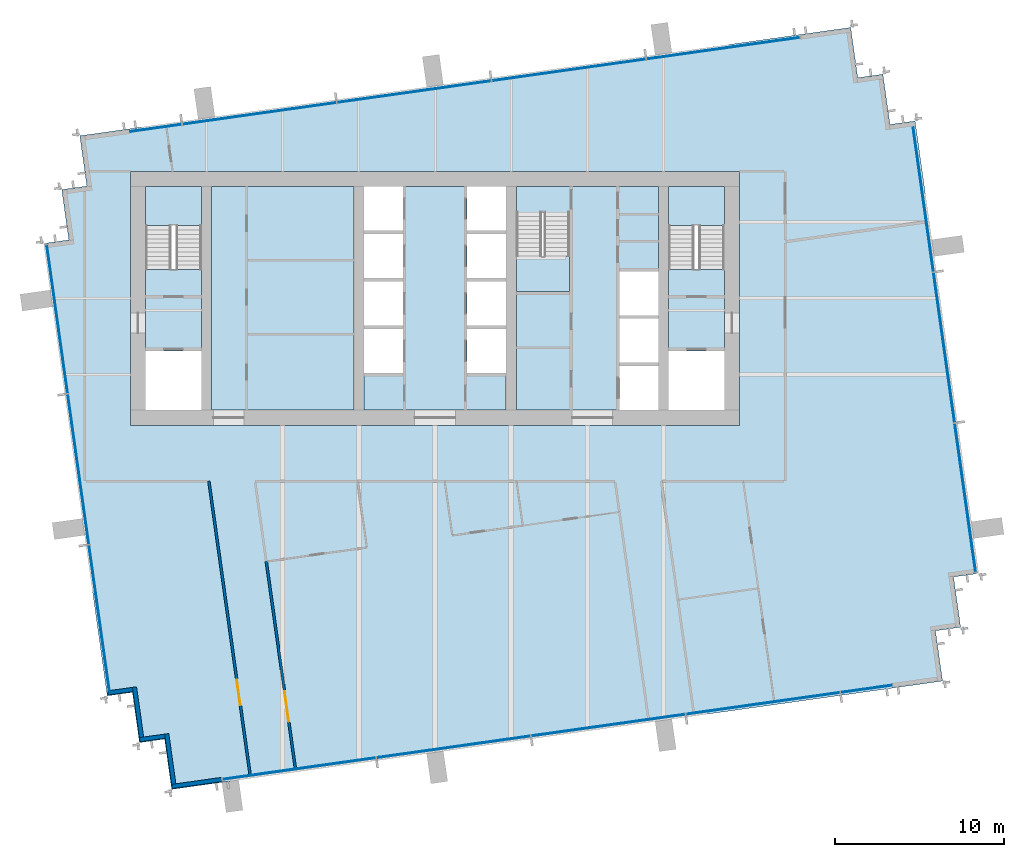
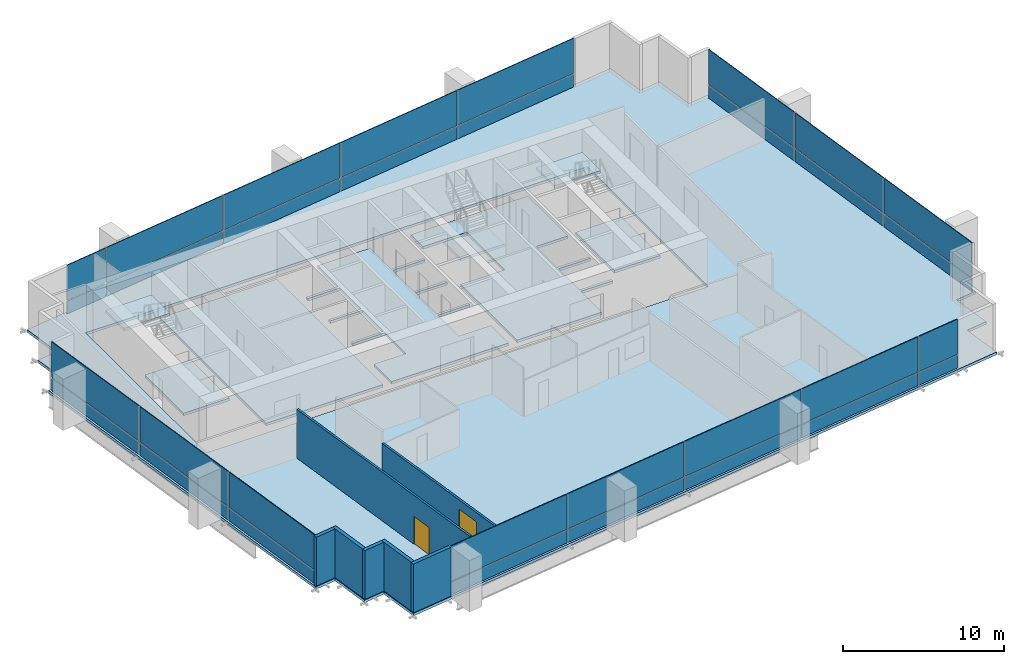
# One storey, part 8 of 13: 32 plates, 9 slabs, 7 walls, 2 doors, 2 openings, 7 elements without a shape of their own.
"""IFC4 building model written with IfcOpenShell, lengths in metres."""

from ifc_helpers import new_model, si_unit, direction, frame, frame_2d, origin, origin_2d, place, context, subcontext, project, spatial, polyline, rectangle, outline, extrude, material, layer, layer_set, type_object, element, fill, aggregate, save


model = new_model("IFC4")

# Units and contexts
model_context = context("Model", 3, precision=1e-05, world=origin(), true_north=direction((0.0, 1.0)))
body_context = subcontext(model_context, "Body", "Model", "MODEL_VIEW")
ifc_project = project(units=[si_unit("LENGTHUNIT", "METRE"), si_unit("AREAUNIT", "SQUARE_METRE"), si_unit("VOLUMEUNIT", "CUBIC_METRE"), si_unit("PLANEANGLEUNIT", "RADIAN"), si_unit("MASSUNIT", "GRAM", prefix="KILO")], contexts=[model_context])

# Site, building, storey
site_placement = place(None, origin())
site = spatial("IfcSite", under=ifc_project, at=site_placement, CompositionType="ELEMENT")
building_placement = place(site_placement, origin())
building = spatial("IfcBuilding", under=site, at=building_placement, Name="Rattan Terrace Tower", CompositionType="ELEMENT")
storey_placement = place(building_placement, frame((0.0, 0.0, 217.39990234375)))
storey = spatial("IfcBuildingStorey", under=building, at=storey_placement, Name="L49", CompositionType="ELEMENT", Elevation=217.39990234375)

# Stair, slab
ifc_material_1 = material(Name="Concrete C40/50", Category="concrete")
stair_type = type_object("IfcStairType", Name="Core exit stair 1500", PredefinedType="HALF_TURN_STAIR", material=ifc_material_1)
stair_1_placement = place(storey_placement, origin())
stair_1 = element("IfcStair", 1, at=stair_1_placement, inside=storey, type_object=stair_type, Name="L49 exit stair 1", PredefinedType="HALF_TURN_STAIR")
ifc_material_2 = material(Name="Concrete C40/50", Category="concrete")
ifc_layer_1 = layer(ifc_material_2, 0.199951171875)
ifc_layer_set_1 = layer_set([ifc_layer_1], Name="Core exit stair landing")
slab_type_1 = type_object("IfcSlabType", Name="Core exit stair landing", PredefinedType="LANDING", material=ifc_layer_set_1)
slab_1_placement = place(storey_placement, frame((0.0, 0.0, 1.75)))
slab_1 = element("IfcSlab", 2, at=slab_1_placement, type_object=slab_type_1, Name="S1 landing 1", PredefinedType="LANDING", context=body_context, shape_type="SweptSolid", body=[
    extrude(outline(polyline([(-13.800048828125, 4.300048828125), (-13.800048828125, 6.60009765625), (-17.10009765625, 6.60009765625), (-17.10009765625, 4.300048828125), (-13.800048828125, 4.300048828125)])), origin(), (0.0, 0.0, 1.0), 0.2001953125),
])
aggregate(stair_1, [slab_1])

stair_2_placement = place(storey_placement, origin())
stair_2 = element("IfcStair", 3, at=stair_2_placement, inside=storey, type_object=stair_type, Name="L49 exit stair 2", PredefinedType="HALF_TURN_STAIR")
slab_2_placement = place(storey_placement, frame((0.0, 0.0, 1.75)))
slab_2 = element("IfcSlab", 4, at=slab_2_placement, type_object=slab_type_1, Name="S2 landing 1", PredefinedType="LANDING", context=body_context, shape_type="SweptSolid", body=[
    extrude(outline(polyline([(17.10009765625, 4.300048828125), (17.10009765625, 6.60009765625), (13.800048828125, 6.60009765625), (13.800048828125, 4.300048828125), (17.10009765625, 4.300048828125)])), origin(), (0.0, 0.0, 1.0), 0.2001953125),
])
aggregate(stair_2, [slab_2])

stair_3_placement = place(storey_placement, origin())
stair_3 = element("IfcStair", 5, at=stair_3_placement, inside=storey, type_object=stair_type, Name="L49 exit stair 3", PredefinedType="HALF_TURN_STAIR")
slab_3_placement = place(storey_placement, frame((0.0, 0.0, 1.75)))
slab_3 = element("IfcSlab", 6, at=slab_3_placement, type_object=slab_type_1, Name="S3 landing 1", PredefinedType="LANDING", context=body_context, shape_type="SweptSolid", body=[
    extrude(outline(polyline([(4.800048828125, 2.5), (4.800048828125, 0.39990234375), (7.949951171875, 0.39990234375), (7.949951171875, 2.5), (4.800048828125, 2.5)])), origin(), (0.0, 0.0, 1.0), 0.2001953125),
])
aggregate(stair_3, [slab_3])

# Slabs
ifc_material_3 = material(Name="Concrete C35/45", Category="concrete")
ifc_layer_2 = layer(ifc_material_3, 0.199951171875)
ifc_layer_set_2 = layer_set([ifc_layer_2], Name="Frame composite floor slab 200")
slab_type_2 = type_object("IfcSlabType", Name="Frame composite floor slab 200", PredefinedType="FLOOR", material=ifc_layer_set_2)
slab_4_placement = place(storey_placement, frame((0.0, 0.0, -0.199951171875)))
element("IfcSlab", 7, at=slab_4_placement, inside=storey, type_object=slab_type_2, Name="Floor slab", PredefinedType="FLOOR", context=body_context, shape_type="SweptSolid", body=[
    extrude(outline(polyline([(-12.591064453125, -28.593994140625), (27.01904296875, -23.027099609375), (29.989990234375, -22.60888671875), (29.572998046875, -19.637939453125), (31.05810546875, -19.429931640625), (30.639892578125, -16.458984375), (32.1259765625, -16.25), (28.367919921875, 10.487060546875), (26.883056640625, 10.278076171875), (26.465087890625, 13.2490234375), (24.97998046875, 13.0400390625), (24.56201171875, 16.010986328125), (21.591064453125, 15.593994140625), (-18.01904296875, 10.027099609375), (-20.989990234375, 9.60888671875), (-20.572998046875, 6.637939453125), (-22.05810546875, 6.429931640625), (-21.639892578125, 3.458984375), (-23.1259765625, 3.25), (-19.367919921875, -23.487060546875), (-17.883056640625, -23.278076171875), (-17.465087890625, -26.2490234375), (-15.97998046875, -26.0400390625), (-15.56201171875, -29.010986328125), (-12.591064453125, -28.593994140625)]), holes=[polyline([(-18.0, -7.5), (18.0, -7.5), (18.0, -6.60009765625), (18.0, 6.60009765625), (18.0, 7.5), (-18.0, 7.5), (-18.0, 6.60009765625), (-18.0, -6.60009765625), (-18.0, -7.5)])]), origin(), (0.0, 0.0, 1.0), 0.199951171875),
])
slab_5_placement = place(storey_placement, frame((0.0, 0.0, -0.199951171875)))
element("IfcSlab", 8, at=slab_5_placement, inside=storey, type_object=slab_type_2, Name="Floor slab", PredefinedType="FLOOR", context=body_context, shape_type="SweptSolid", body=[
    extrude(outline(polyline([(13.199951171875, 6.60009765625), (4.800048828125, 6.60009765625), (4.800048828125, 5.090087890625), (7.949951171875, 5.090087890625), (7.949951171875, 0.39990234375), (4.800048828125, 0.39990234375), (4.800048828125, -6.60009765625), (10.89990234375, -6.60009765625), (10.89990234375, -4.0), (13.199951171875, -4.0), (13.199951171875, -3.800048828125), (10.89990234375, -3.800048828125), (10.89990234375, -1.199951171875), (13.199951171875, -1.199951171875), (13.199951171875, -1.0), (10.89990234375, -1.0), (10.89990234375, 1.60009765625), (13.199951171875, 1.60009765625), (13.199951171875, 6.60009765625)])), origin(), (0.0, 0.0, 1.0), 0.199951171875),
])
slab_6_placement = place(storey_placement, frame((0.0, 0.0, -0.199951171875)))
element("IfcSlab", 9, at=slab_6_placement, inside=storey, type_object=slab_type_2, Name="Floor slab", PredefinedType="FLOOR", context=body_context, shape_type="SweptSolid", body=[
    extrude(outline(polyline([(1.89990234375, 6.60009765625), (-1.89990234375, 6.60009765625), (-1.89990234375, 4.0), (-4.199951171875, 4.0), (-4.199951171875, 3.800048828125), (-1.89990234375, 3.800048828125), (-1.89990234375, 1.199951171875), (-4.199951171875, 1.199951171875), (-4.199951171875, 1.0), (-1.89990234375, 1.0), (-1.89990234375, -1.60009765625), (-4.199951171875, -1.60009765625), (-4.199951171875, -1.800048828125), (-1.89990234375, -1.800048828125), (-1.89990234375, -4.39990234375), (-4.199951171875, -4.39990234375), (-4.199951171875, -6.60009765625), (4.199951171875, -6.60009765625), (4.199951171875, -4.39990234375), (1.89990234375, -4.39990234375), (1.89990234375, -1.800048828125), (4.199951171875, -1.800048828125), (4.199951171875, -1.60009765625), (1.89990234375, -1.60009765625), (1.89990234375, 1.0), (4.199951171875, 1.0), (4.199951171875, 1.199951171875), (1.89990234375, 1.199951171875), (1.89990234375, 3.800048828125), (4.199951171875, 3.800048828125), (4.199951171875, 4.0), (1.89990234375, 4.0), (1.89990234375, 6.60009765625)])), origin(), (0.0, 0.0, 1.0), 0.199951171875),
])
slab_7_placement = place(storey_placement, frame((0.0, 0.0, -0.199951171875)))
element("IfcSlab", 10, at=slab_7_placement, inside=storey, type_object=slab_type_2, Name="Floor slab", PredefinedType="FLOOR", context=body_context, shape_type="SweptSolid", body=[
    extrude(outline(polyline([(-17.10009765625, -3.10009765625), (-13.800048828125, -3.10009765625), (-13.800048828125, 1.7099609375), (-17.10009765625, 1.7099609375), (-17.10009765625, -3.10009765625)])), origin(), (0.0, 0.0, 1.0), 0.199951171875),
])
slab_8_placement = place(storey_placement, frame((0.0, 0.0, -0.199951171875)))
element("IfcSlab", 11, at=slab_8_placement, inside=storey, type_object=slab_type_2, Name="Floor slab", PredefinedType="FLOOR", context=body_context, shape_type="SweptSolid", body=[
    extrude(outline(polyline([(-4.800048828125, -6.60009765625), (-4.800048828125, 6.60009765625), (-13.199951171875, 6.60009765625), (-13.199951171875, -6.60009765625), (-4.800048828125, -6.60009765625)])), origin(), (0.0, 0.0, 1.0), 0.199951171875),
])
slab_9_placement = place(storey_placement, frame((0.0, 0.0, -0.199951171875)))
element("IfcSlab", 12, at=slab_9_placement, inside=storey, type_object=slab_type_2, Name="Floor slab", PredefinedType="FLOOR", context=body_context, shape_type="SweptSolid", body=[
    extrude(outline(polyline([(13.800048828125, -3.10009765625), (17.10009765625, -3.10009765625), (17.10009765625, 1.7099609375), (13.800048828125, 1.7099609375), (13.800048828125, -3.10009765625)])), origin(), (0.0, 0.0, 1.0), 0.199951171875),
])

# Curtain wall, plates
ifc_material_4 = material(Name="Aluminium and laminated glass", Category="aluminium")
ifc_layer_3 = layer(ifc_material_4, 0.199951171875)
ifc_layer_set_3 = layer_set([ifc_layer_3], Name="High-Zone Unitised Curtain Wall")
curtain_wall_type = type_object("IfcCurtainWallType", Name="High-Zone Unitised Curtain Wall", PredefinedType="NOTDEFINED", material=ifc_layer_set_3)
curtain_wall_1_placement = place(storey_placement, origin())
curtain_wall_1 = element("IfcCurtainWall", 13, at=curtain_wall_1_placement, inside=storey, type_object=curtain_wall_type, Name="High-zone curtain wall L49-1", PredefinedType="NOTDEFINED")
ifc_material_5 = material(Name="Aluminium insulated spandrel panel", Category="aluminium")
ifc_layer_4 = layer(ifc_material_5, 0.050048828125)
ifc_layer_set_4 = layer_set([ifc_layer_4], Name="High-Zone CW Spandrel Panel")
plate_type_1 = type_object("IfcPlateType", Name="High-Zone CW Spandrel Panel", PredefinedType="CURTAIN_PANEL", material=ifc_layer_set_4)
plate_1_placement = place(storey_placement, frame((31.32568359375, -11.77783203125, 0.0), z_axis=(0.0, 0.0, 1.0), x_axis=(-0.139186165309, 0.990266232579, 0.0)))
plate_1 = element("IfcPlate", 14, at=plate_1_placement, type_object=plate_type_1, Name="Panel cwl-L49-001.1.1", PredefinedType="CURTAIN_PANEL", context=body_context, shape_type="SweptSolid", body=[
    extrude(rectangle(XDim=8.85009765625, YDim=0.050048828125, at=origin_2d()), origin(), (0.0, 0.0, 1.0), 0.965087890625),
])
plate_2_placement = place(storey_placement, frame((30.07861328125, -2.905029296875, 0.0), z_axis=(0.0, 0.0, 1.0), x_axis=(-0.139186165309, 0.990266232579, 0.0)))
plate_2 = element("IfcPlate", 15, at=plate_2_placement, type_object=plate_type_1, Name="Panel cwl-L49-001.2.1", PredefinedType="CURTAIN_PANEL", context=body_context, shape_type="SweptSolid", body=[
    extrude(rectangle(XDim=8.929931640625, YDim=0.050048828125, at=origin_2d()), origin(), (0.0, 0.0, 1.0), 0.965087890625),
])
plate_3_placement = place(storey_placement, frame((28.843994140625, 5.87841796875, 0.0), z_axis=(0.0, 0.0, 1.0), x_axis=(-0.139186165309, 0.990266232579, 0.0)))
plate_3 = element("IfcPlate", 16, at=plate_3_placement, type_object=plate_type_1, Name="Panel cwl-L49-001.3.1", PredefinedType="CURTAIN_PANEL", context=body_context, shape_type="SweptSolid", body=[
    extrude(rectangle(XDim=8.669677734375, YDim=0.050048828125, at=origin_2d()), origin(), (0.0, 0.0, 1.0), 0.965087890625),
])

curtain_wall_2_placement = place(storey_placement, origin())
curtain_wall_2 = element("IfcCurtainWall", 17, at=curtain_wall_2_placement, inside=storey, type_object=curtain_wall_type, Name="High-zone curtain wall L49-2", PredefinedType="NOTDEFINED")
plate_4_placement = place(storey_placement, frame((17.02685546875, 14.78076171875, 0.0), z_axis=(0.0, 0.0, 1.0), x_axis=(-0.990267457022, -0.139177453499, 0.0)))
plate_4 = element("IfcPlate", 18, at=plate_4_placement, type_object=plate_type_1, Name="Panel cwl-L49-002.1.1", PredefinedType="CURTAIN_PANEL", context=body_context, shape_type="SweptSolid", body=[
    extrude(rectangle(XDim=9.1259765625, YDim=0.050048828125, at=origin_2d()), origin(), (0.0, 0.0, 1.0), 0.965087890625),
])
plate_5_placement = place(storey_placement, frame((7.90283203125, 13.49853515625, 0.0), z_axis=(0.0, 0.0, 1.0), x_axis=(-0.990267457022, -0.139177453499, 0.0)))
plate_5 = element("IfcPlate", 19, at=plate_5_placement, type_object=plate_type_1, Name="Panel cwl-L49-002.2.1", PredefinedType="CURTAIN_PANEL", context=body_context, shape_type="SweptSolid", body=[
    extrude(rectangle(XDim=9.160888671875, YDim=0.050048828125, at=origin_2d()), origin(), (0.0, 0.0, 1.0), 0.965087890625),
])
plate_6_placement = place(storey_placement, frame((-1.23828125, 12.2138671875, 0.0), z_axis=(0.0, 0.0, 1.0), x_axis=(-0.990267457022, -0.139177453499, 0.0)))
plate_6 = element("IfcPlate", 20, at=plate_6_placement, type_object=plate_type_1, Name="Panel cwl-L49-002.3.1", PredefinedType="CURTAIN_PANEL", context=body_context, shape_type="SweptSolid", body=[
    extrude(rectangle(XDim=9.160888671875, YDim=0.050048828125, at=origin_2d()), origin(), (0.0, 0.0, 1.0), 0.965087890625),
])
plate_7_placement = place(storey_placement, frame((-10.37939453125, 10.928955078125, 0.0), z_axis=(0.0, 0.0, 1.0), x_axis=(-0.990267457022, -0.139177453499, 0.0)))
plate_7 = element("IfcPlate", 21, at=plate_7_placement, type_object=plate_type_1, Name="Panel cwl-L49-002.4.1", PredefinedType="CURTAIN_PANEL", context=body_context, shape_type="SweptSolid", body=[
    extrude(rectangle(XDim=9.160888671875, YDim=0.050048828125, at=origin_2d()), origin(), (0.0, 0.0, 1.0), 0.965087890625),
])
plate_8_placement = place(storey_placement, frame((-16.489990234375, 10.0703125, 0.0), z_axis=(0.0, 0.0, 1.0), x_axis=(-0.990267457022, -0.139177453499, 0.0)))
plate_8 = element("IfcPlate", 22, at=plate_8_placement, type_object=plate_type_1, Name="Panel cwl-L49-002.5.1", PredefinedType="CURTAIN_PANEL", context=body_context, shape_type="SweptSolid", body=[
    extrude(rectangle(XDim=3.040283203125, YDim=0.050048828125, at=origin_2d()), origin(), (0.0, 0.0, 1.0), 0.965087890625),
])

curtain_wall_3_placement = place(storey_placement, origin())
curtain_wall_3 = element("IfcCurtainWall", 23, at=curtain_wall_3_placement, inside=storey, type_object=curtain_wall_type, Name="High-zone curtain wall L49-3", PredefinedType="NOTDEFINED")
plate_9_placement = place(storey_placement, frame((-22.32568359375, -1.22216796875, 0.0), z_axis=(0.0, 0.0, 1.0), x_axis=(0.139186165309, -0.990266232579, 0.0)))
plate_9 = element("IfcPlate", 24, at=plate_9_placement, type_object=plate_type_1, Name="Panel cwl-L49-003.1.1", PredefinedType="CURTAIN_PANEL", context=body_context, shape_type="SweptSolid", body=[
    extrude(rectangle(XDim=8.85009765625, YDim=0.050048828125, at=origin_2d()), origin(), (0.0, 0.0, 1.0), 0.965087890625),
])
plate_10_placement = place(storey_placement, frame((-21.07861328125, -10.094970703125, 0.0), z_axis=(0.0, 0.0, 1.0), x_axis=(0.139186165309, -0.990266232579, 0.0)))
plate_10 = element("IfcPlate", 25, at=plate_10_placement, type_object=plate_type_1, Name="Panel cwl-L49-003.2.1", PredefinedType="CURTAIN_PANEL", context=body_context, shape_type="SweptSolid", body=[
    extrude(rectangle(XDim=8.929931640625, YDim=0.050048828125, at=origin_2d()), origin(), (0.0, 0.0, 1.0), 0.965087890625),
])
plate_11_placement = place(storey_placement, frame((-19.843994140625, -18.87841796875, 0.0), z_axis=(0.0, 0.0, 1.0), x_axis=(0.139186165309, -0.990266232579, 0.0)))
plate_11 = element("IfcPlate", 26, at=plate_11_placement, type_object=plate_type_1, Name="Panel cwl-L49-003.3.1", PredefinedType="CURTAIN_PANEL", context=body_context, shape_type="SweptSolid", body=[
    extrude(rectangle(XDim=8.669677734375, YDim=0.050048828125, at=origin_2d()), origin(), (0.0, 0.0, 1.0), 0.965087890625),
])

curtain_wall_4_placement = place(storey_placement, origin())
curtain_wall_4 = element("IfcCurtainWall", 27, at=curtain_wall_4_placement, inside=storey, type_object=curtain_wall_type, Name="High-zone curtain wall L49-4", PredefinedType="NOTDEFINED")
plate_12_placement = place(storey_placement, frame((-8.02685546875, -27.78076171875, 0.0), z_axis=(0.0, 0.0, 1.0), x_axis=(0.990267457022, 0.139177453499, 0.0)))
plate_12 = element("IfcPlate", 28, at=plate_12_placement, type_object=plate_type_1, Name="Panel cwl-L49-004.1.1", PredefinedType="CURTAIN_PANEL", context=body_context, shape_type="SweptSolid", body=[
    extrude(rectangle(XDim=9.1259765625, YDim=0.050048828125, at=origin_2d()), origin(), (0.0, 0.0, 1.0), 0.965087890625),
])
plate_13_placement = place(storey_placement, frame((1.09716796875, -26.49853515625, 0.0), z_axis=(0.0, 0.0, 1.0), x_axis=(0.990267457022, 0.139177453499, 0.0)))
plate_13 = element("IfcPlate", 29, at=plate_13_placement, type_object=plate_type_1, Name="Panel cwl-L49-004.2.1", PredefinedType="CURTAIN_PANEL", context=body_context, shape_type="SweptSolid", body=[
    extrude(rectangle(XDim=9.160888671875, YDim=0.050048828125, at=origin_2d()), origin(), (0.0, 0.0, 1.0), 0.965087890625),
])
plate_14_placement = place(storey_placement, frame((10.23828125, -25.2138671875, 0.0), z_axis=(0.0, 0.0, 1.0), x_axis=(0.990267457022, 0.139177453499, 0.0)))
plate_14 = element("IfcPlate", 30, at=plate_14_placement, type_object=plate_type_1, Name="Panel cwl-L49-004.3.1", PredefinedType="CURTAIN_PANEL", context=body_context, shape_type="SweptSolid", body=[
    extrude(rectangle(XDim=9.160888671875, YDim=0.050048828125, at=origin_2d()), origin(), (0.0, 0.0, 1.0), 0.965087890625),
])
plate_15_placement = place(storey_placement, frame((19.37939453125, -23.928955078125, 0.0), z_axis=(0.0, 0.0, 1.0), x_axis=(0.990267457022, 0.139177453499, 0.0)))
plate_15 = element("IfcPlate", 31, at=plate_15_placement, type_object=plate_type_1, Name="Panel cwl-L49-004.4.1", PredefinedType="CURTAIN_PANEL", context=body_context, shape_type="SweptSolid", body=[
    extrude(rectangle(XDim=9.160888671875, YDim=0.050048828125, at=origin_2d()), origin(), (0.0, 0.0, 1.0), 0.965087890625),
])
plate_16_placement = place(storey_placement, frame((25.489990234375, -23.0703125, 0.0), z_axis=(0.0, 0.0, 1.0), x_axis=(0.990267457022, 0.139177453499, 0.0)))
plate_16 = element("IfcPlate", 32, at=plate_16_placement, type_object=plate_type_1, Name="Panel cwl-L49-004.5.1", PredefinedType="CURTAIN_PANEL", context=body_context, shape_type="SweptSolid", body=[
    extrude(rectangle(XDim=3.040283203125, YDim=0.050048828125, at=origin_2d()), origin(), (0.0, 0.0, 1.0), 0.965087890625),
])

# Plate
ifc_material_6 = material(Name="Laminated low-iron glass", Category="glass")
ifc_layer_5 = layer(ifc_material_6, 0.055908203125)
ifc_layer_set_5 = layer_set([ifc_layer_5], Name="High-Zone CW Vision Panel")
plate_type_2 = type_object("IfcPlateType", Name="High-Zone CW Vision Panel", PredefinedType="CURTAIN_PANEL", material=ifc_layer_set_5)
plate_17_placement = place(storey_placement, frame((31.32568359375, -11.77783203125, 1.03515625), z_axis=(0.0, 0.0, 1.0), x_axis=(-0.139186165309, 0.990266232579, 0.0)))
plate_17 = element("IfcPlate", 33, at=plate_17_placement, type_object=plate_type_2, Name="Panel cwl-L49-001.1.2", PredefinedType="CURTAIN_PANEL", context=body_context, shape_type="SweptSolid", body=[
    extrude(rectangle(XDim=8.85009765625, YDim=0.055908203125, at=origin_2d()), origin(), (0.0, 0.0, 1.0), 2.6650390625),
])

plate_18_placement = place(storey_placement, frame((30.07861328125, -2.905029296875, 1.03515625), z_axis=(0.0, 0.0, 1.0), x_axis=(-0.139186165309, 0.990266232579, 0.0)))
plate_18 = element("IfcPlate", 34, at=plate_18_placement, type_object=plate_type_2, Name="Panel cwl-L49-001.2.2", PredefinedType="CURTAIN_PANEL", context=body_context, shape_type="SweptSolid", body=[
    extrude(rectangle(XDim=8.929931640625, YDim=0.055908203125, at=origin_2d()), origin(), (0.0, 0.0, 1.0), 2.6650390625),
])

plate_19_placement = place(storey_placement, frame((28.843994140625, 5.87841796875, 1.03515625), z_axis=(0.0, 0.0, 1.0), x_axis=(-0.139186165309, 0.990266232579, 0.0)))
plate_19 = element("IfcPlate", 35, at=plate_19_placement, type_object=plate_type_2, Name="Panel cwl-L49-001.3.2", PredefinedType="CURTAIN_PANEL", context=body_context, shape_type="SweptSolid", body=[
    extrude(rectangle(XDim=8.669677734375, YDim=0.055908203125, at=origin_2d()), origin(), (0.0, 0.0, 1.0), 2.6650390625),
])

aggregate(curtain_wall_1, [plate_1, plate_17, plate_2, plate_18, plate_3, plate_19])

plate_20_placement = place(storey_placement, frame((17.02685546875, 14.78076171875, 1.03515625), z_axis=(0.0, 0.0, 1.0), x_axis=(-0.990267457022, -0.139177453499, 0.0)))
plate_20 = element("IfcPlate", 36, at=plate_20_placement, type_object=plate_type_2, Name="Panel cwl-L49-002.1.2", PredefinedType="CURTAIN_PANEL", context=body_context, shape_type="SweptSolid", body=[
    extrude(rectangle(XDim=9.1259765625, YDim=0.055908203125, at=origin_2d()), origin(), (0.0, 0.0, 1.0), 2.6650390625),
])

plate_21_placement = place(storey_placement, frame((7.90283203125, 13.49853515625, 1.03515625), z_axis=(0.0, 0.0, 1.0), x_axis=(-0.990267457022, -0.139177453499, 0.0)))
plate_21 = element("IfcPlate", 37, at=plate_21_placement, type_object=plate_type_2, Name="Panel cwl-L49-002.2.2", PredefinedType="CURTAIN_PANEL", context=body_context, shape_type="SweptSolid", body=[
    extrude(rectangle(XDim=9.160888671875, YDim=0.055908203125, at=origin_2d()), origin(), (0.0, 0.0, 1.0), 2.6650390625),
])

plate_22_placement = place(storey_placement, frame((-1.23828125, 12.2138671875, 1.03515625), z_axis=(0.0, 0.0, 1.0), x_axis=(-0.990267457022, -0.139177453499, 0.0)))
plate_22 = element("IfcPlate", 38, at=plate_22_placement, type_object=plate_type_2, Name="Panel cwl-L49-002.3.2", PredefinedType="CURTAIN_PANEL", context=body_context, shape_type="SweptSolid", body=[
    extrude(rectangle(XDim=9.160888671875, YDim=0.055908203125, at=origin_2d()), origin(), (0.0, 0.0, 1.0), 2.6650390625),
])

plate_23_placement = place(storey_placement, frame((-10.37939453125, 10.928955078125, 1.03515625), z_axis=(0.0, 0.0, 1.0), x_axis=(-0.990267457022, -0.139177453499, 0.0)))
plate_23 = element("IfcPlate", 39, at=plate_23_placement, type_object=plate_type_2, Name="Panel cwl-L49-002.4.2", PredefinedType="CURTAIN_PANEL", context=body_context, shape_type="SweptSolid", body=[
    extrude(rectangle(XDim=9.160888671875, YDim=0.055908203125, at=origin_2d()), origin(), (0.0, 0.0, 1.0), 2.6650390625),
])

plate_24_placement = place(storey_placement, frame((-16.489990234375, 10.0703125, 1.03515625), z_axis=(0.0, 0.0, 1.0), x_axis=(-0.990267457022, -0.139177453499, 0.0)))
plate_24 = element("IfcPlate", 40, at=plate_24_placement, type_object=plate_type_2, Name="Panel cwl-L49-002.5.2", PredefinedType="CURTAIN_PANEL", context=body_context, shape_type="SweptSolid", body=[
    extrude(rectangle(XDim=3.040283203125, YDim=0.055908203125, at=origin_2d()), origin(), (0.0, 0.0, 1.0), 2.6650390625),
])

aggregate(curtain_wall_2, [plate_4, plate_20, plate_5, plate_21, plate_6, plate_22, plate_7, plate_23, plate_8, plate_24])

plate_25_placement = place(storey_placement, frame((-22.32568359375, -1.22216796875, 1.03515625), z_axis=(0.0, 0.0, 1.0), x_axis=(0.139186165309, -0.990266232579, 0.0)))
plate_25 = element("IfcPlate", 41, at=plate_25_placement, type_object=plate_type_2, Name="Panel cwl-L49-003.1.2", PredefinedType="CURTAIN_PANEL", context=body_context, shape_type="SweptSolid", body=[
    extrude(rectangle(XDim=8.85009765625, YDim=0.055908203125, at=origin_2d()), origin(), (0.0, 0.0, 1.0), 2.6650390625),
])

plate_26_placement = place(storey_placement, frame((-21.07861328125, -10.094970703125, 1.03515625), z_axis=(0.0, 0.0, 1.0), x_axis=(0.139186165309, -0.990266232579, 0.0)))
plate_26 = element("IfcPlate", 42, at=plate_26_placement, type_object=plate_type_2, Name="Panel cwl-L49-003.2.2", PredefinedType="CURTAIN_PANEL", context=body_context, shape_type="SweptSolid", body=[
    extrude(rectangle(XDim=8.929931640625, YDim=0.055908203125, at=origin_2d()), origin(), (0.0, 0.0, 1.0), 2.6650390625),
])

plate_27_placement = place(storey_placement, frame((-19.843994140625, -18.87841796875, 1.03515625), z_axis=(0.0, 0.0, 1.0), x_axis=(0.139186165309, -0.990266232579, 0.0)))
plate_27 = element("IfcPlate", 43, at=plate_27_placement, type_object=plate_type_2, Name="Panel cwl-L49-003.3.2", PredefinedType="CURTAIN_PANEL", context=body_context, shape_type="SweptSolid", body=[
    extrude(rectangle(XDim=8.669677734375, YDim=0.055908203125, at=origin_2d()), origin(), (0.0, 0.0, 1.0), 2.6650390625),
])

aggregate(curtain_wall_3, [plate_9, plate_25, plate_10, plate_26, plate_11, plate_27])

plate_28_placement = place(storey_placement, frame((-8.02685546875, -27.78076171875, 1.03515625), z_axis=(0.0, 0.0, 1.0), x_axis=(0.990267457022, 0.139177453499, 0.0)))
plate_28 = element("IfcPlate", 44, at=plate_28_placement, type_object=plate_type_2, Name="Panel cwl-L49-004.1.2", PredefinedType="CURTAIN_PANEL", context=body_context, shape_type="SweptSolid", body=[
    extrude(rectangle(XDim=9.1259765625, YDim=0.055908203125, at=origin_2d()), origin(), (0.0, 0.0, 1.0), 2.6650390625),
])

plate_29_placement = place(storey_placement, frame((1.09716796875, -26.49853515625, 1.03515625), z_axis=(0.0, 0.0, 1.0), x_axis=(0.990267457022, 0.139177453499, 0.0)))
plate_29 = element("IfcPlate", 45, at=plate_29_placement, type_object=plate_type_2, Name="Panel cwl-L49-004.2.2", PredefinedType="CURTAIN_PANEL", context=body_context, shape_type="SweptSolid", body=[
    extrude(rectangle(XDim=9.160888671875, YDim=0.055908203125, at=origin_2d()), origin(), (0.0, 0.0, 1.0), 2.6650390625),
])

plate_30_placement = place(storey_placement, frame((10.23828125, -25.2138671875, 1.03515625), z_axis=(0.0, 0.0, 1.0), x_axis=(0.990267457022, 0.139177453499, 0.0)))
plate_30 = element("IfcPlate", 46, at=plate_30_placement, type_object=plate_type_2, Name="Panel cwl-L49-004.3.2", PredefinedType="CURTAIN_PANEL", context=body_context, shape_type="SweptSolid", body=[
    extrude(rectangle(XDim=9.160888671875, YDim=0.055908203125, at=origin_2d()), origin(), (0.0, 0.0, 1.0), 2.6650390625),
])

plate_31_placement = place(storey_placement, frame((19.37939453125, -23.928955078125, 1.03515625), z_axis=(0.0, 0.0, 1.0), x_axis=(0.990267457022, 0.139177453499, 0.0)))
plate_31 = element("IfcPlate", 47, at=plate_31_placement, type_object=plate_type_2, Name="Panel cwl-L49-004.4.2", PredefinedType="CURTAIN_PANEL", context=body_context, shape_type="SweptSolid", body=[
    extrude(rectangle(XDim=9.160888671875, YDim=0.055908203125, at=origin_2d()), origin(), (0.0, 0.0, 1.0), 2.6650390625),
])

plate_32_placement = place(storey_placement, frame((25.489990234375, -23.0703125, 1.03515625), z_axis=(0.0, 0.0, 1.0), x_axis=(0.990267457022, 0.139177453499, 0.0)))
plate_32 = element("IfcPlate", 48, at=plate_32_placement, type_object=plate_type_2, Name="Panel cwl-L49-004.5.2", PredefinedType="CURTAIN_PANEL", context=body_context, shape_type="SweptSolid", body=[
    extrude(rectangle(XDim=3.040283203125, YDim=0.055908203125, at=origin_2d()), origin(), (0.0, 0.0, 1.0), 2.6650390625),
])

aggregate(curtain_wall_4, [plate_12, plate_28, plate_13, plate_29, plate_14, plate_30, plate_15, plate_31, plate_16, plate_32])

# Walls
ifc_material_7 = material(Name="Insulated aluminium-clad stud wall", Category="aluminium")
ifc_layer_6 = layer(ifc_material_7, 0.25)
ifc_layer_set_6 = layer_set([ifc_layer_6], Name="Facade Riser Wall 250")
wall_type_1 = type_object("IfcWallType", Name="Facade Riser Wall 250", PredefinedType="SOLIDWALL", material=ifc_layer_set_6)
wall_1_placement = place(storey_placement, frame((-19.322265625, -23.308837890625, 0.0), z_axis=(0.0, 0.0, 1.0), x_axis=(0.990235520307, 0.13940449893, 0.0)))
element("IfcWall", 49, at=wall_1_placement, inside=storey, type_object=wall_type_1, Name="Riser wall L49-16", PredefinedType="SOLIDWALL", context=body_context, shape_type="SweptSolid", body=[
    extrude(rectangle(XDim=1.474609375, YDim=0.25, at=frame_2d((0.7373046875, 0.0))), origin(), (0.0, 0.0, 1.0), 3.7001953125),
])
wall_2_placement = place(storey_placement, frame((-17.755859375, -22.962158203125, 0.0), z_axis=(0.0, 0.0, 1.0), x_axis=(0.139393225799, -0.990237107263, 0.0)))
element("IfcWall", 50, at=wall_2_placement, inside=storey, type_object=wall_type_1, Name="Riser wall L49-17", PredefinedType="SOLIDWALL", context=body_context, shape_type="SweptSolid", body=[
    extrude(rectangle(XDim=3.000244140625, YDim=0.25, at=frame_2d((1.5, 0.0))), origin(), (0.0, 0.0, 1.0), 3.7001953125),
])
wall_3_placement = place(storey_placement, frame((-17.444091796875, -26.074462890625, 0.0), z_axis=(0.0, 0.0, 1.0), x_axis=(0.990240434918, 0.139369584395, 0.0)))
element("IfcWall", 51, at=wall_3_placement, inside=storey, type_object=wall_type_1, Name="Riser wall L49-18", PredefinedType="SOLIDWALL", context=body_context, shape_type="SweptSolid", body=[
    extrude(rectangle(XDim=1.49951171875, YDim=0.25, at=frame_2d((0.749755859375, 0.0))), origin(), (0.0, 0.0, 1.0), 3.7001953125),
])
wall_4_placement = place(storey_placement, frame((-15.852783203125, -25.72412109375, 0.0), z_axis=(0.0, 0.0, 1.0), x_axis=(0.139302206688, -0.990249915532, 0.0)))
element("IfcWall", 52, at=wall_4_placement, inside=storey, type_object=wall_type_1, Name="Riser wall L49-19", PredefinedType="SOLIDWALL", context=body_context, shape_type="SweptSolid", body=[
    extrude(rectangle(XDim=3.00048828125, YDim=0.25, at=frame_2d((1.500244140625, 0.0))), origin(), (0.0, 0.0, 1.0), 3.7001953125),
])
wall_5_placement = place(storey_placement, frame((-15.541015625, -28.83642578125, 0.0), z_axis=(0.0, 0.0, 1.0), x_axis=(0.990285396533, 0.139049751574, 0.0)))
element("IfcWall", 53, at=wall_5_placement, inside=storey, type_object=wall_type_1, Name="Riser wall L49-20", PredefinedType="SOLIDWALL", context=body_context, shape_type="SweptSolid", body=[
    extrude(rectangle(XDim=2.955078125, YDim=0.25, at=frame_2d((1.4775390625, 0.0))), origin(), (0.0, 0.0, 1.0), 3.7001953125),
])

# Wall, opening, door
ifc_material_8 = material(Name="Gypsum board partition on steel studs, fire rated", Category="steel")
ifc_layer_7 = layer(ifc_material_8, 0.14990234375)
ifc_layer_set_7 = layer_set([ifc_layer_7], Name="Floors Tenancy Wall 150")
wall_type_2 = type_object("IfcWallType", Name="Floors Tenancy Wall 150", PredefinedType="PARTITIONING", material=ifc_layer_set_7)
wall_6_placement = place(storey_placement, frame((-10.931884765625, -28.09912109375, 0.0), z_axis=(0.0, 0.0, 1.0), x_axis=(-0.139168963114, 0.990268650269, 0.0)))
wall_6 = element("IfcWall", 54, at=wall_6_placement, inside=storey, type_object=wall_type_2, Name="pt-L49-003", PredefinedType="PARTITIONING", context=body_context, shape_type="SweptSolid", body=[
    extrude(rectangle(XDim=17.468994140625, YDim=0.14990234375, at=frame_2d((8.734375, 0.0))), origin(), (0.0, 0.0, 1.0), 3.7001953125),
])
opening_1_placement = place(wall_6_placement, frame((4.116943359375, 0.0, 0.0)))
opening_1 = element("IfcOpeningElement", 55, at=opening_1_placement, cuts=wall_6, Name="Opening L49-D100", PredefinedType="OPENING", context=body_context, shape_type="SweptSolid", body=[
    extrude(rectangle(XDim=1.5, YDim=2.10009765625, at=frame_2d((0.75, 1.050048828125))), frame((0.0, 0.08544921875, 0.0), z_axis=(0.0, -1.0, 0.0), x_axis=(1.0, 0.0, 0.0)), (0.0, 0.0, 1.0), 0.1708984375),
])
ifc_material_9 = material(Name="Steel fire door set", Category="steel")
door_type_1 = type_object("IfcDoorType", Name="Floors Unit Door Pair FD30S 1500x2100", OperationType="NOTDEFINED", PredefinedType="DOOR", material=ifc_material_9)
door_1_placement = place(opening_1_placement, origin())
door_1 = element("IfcDoor", 56, at=door_1_placement, inside=storey, type_object=door_type_1, Name="d-L49-100", OperationType="DOUBLE_DOOR_SINGLE_SWING", OverallHeight=2.10009765625, OverallWidth=1.5, PredefinedType="DOOR", context=body_context, shape_type="SweptSolid", body=[
    extrude(rectangle(XDim=1.5, YDim=2.10009765625, at=frame_2d((0.75, 1.050048828125))), frame((0.0, 0.02490234375, 0.0), z_axis=(0.0, -1.0, 0.0), x_axis=(1.0, 0.0, 0.0)), (0.0, 0.0, 1.0), 0.050048828125),
])
fill(opening_1, door_1)

wall_7_placement = place(storey_placement, frame((-9.971923828125, -15.532958984375, 0.0), z_axis=(0.0, 0.0, 1.0), x_axis=(0.139149686673, -0.990271359123, 0.0)))
wall_7 = element("IfcWall", 57, at=wall_7_placement, inside=storey, type_object=wall_type_2, Name="pt-L49-012", PredefinedType="PARTITIONING", context=body_context, shape_type="SweptSolid", body=[
    extrude(rectangle(XDim=12.309814453125, YDim=0.14990234375, at=frame_2d((6.15478515625, 0.0))), origin(), (0.0, 0.0, 1.0), 2.800048828125),
])
opening_2_placement = place(wall_7_placement, frame((7.757080078125, 0.0, 0.0)))
opening_2 = element("IfcOpeningElement", 58, at=opening_2_placement, cuts=wall_7, Name="Opening L49-D106", PredefinedType="OPENING", context=body_context, shape_type="SweptSolid", body=[
    extrude(rectangle(XDim=1.800048828125, YDim=2.10009765625, at=frame_2d((0.89990234375, 1.050048828125))), frame((0.0, 0.08544921875, 0.0), z_axis=(0.0, -1.0, 0.0), x_axis=(1.0, 0.0, 0.0)), (0.0, 0.0, 1.0), 0.1708984375),
])
ifc_material_10 = material(Name="Steel fire door set", Category="steel")
door_type_2 = type_object("IfcDoorType", Name="Floors Fire Door Pair FD30S 1800x2100", OperationType="NOTDEFINED", PredefinedType="DOOR", material=ifc_material_10)
door_2_placement = place(opening_2_placement, origin())
door_2 = element("IfcDoor", 59, at=door_2_placement, inside=storey, type_object=door_type_2, Name="d-L49-106", OperationType="DOUBLE_DOOR_SINGLE_SWING", OverallHeight=2.10009765625, OverallWidth=1.800048828125, PredefinedType="DOOR", context=body_context, shape_type="SweptSolid", body=[
    extrude(rectangle(XDim=1.800048828125, YDim=2.10009765625, at=frame_2d((0.89990234375, 1.050048828125))), frame((0.0, 0.02490234375, 0.0), z_axis=(0.0, -1.0, 0.0), x_axis=(1.0, 0.0, 0.0)), (0.0, 0.0, 1.0), 0.050048828125),
])
fill(opening_2, door_2)

save(model, "model.ifc")
